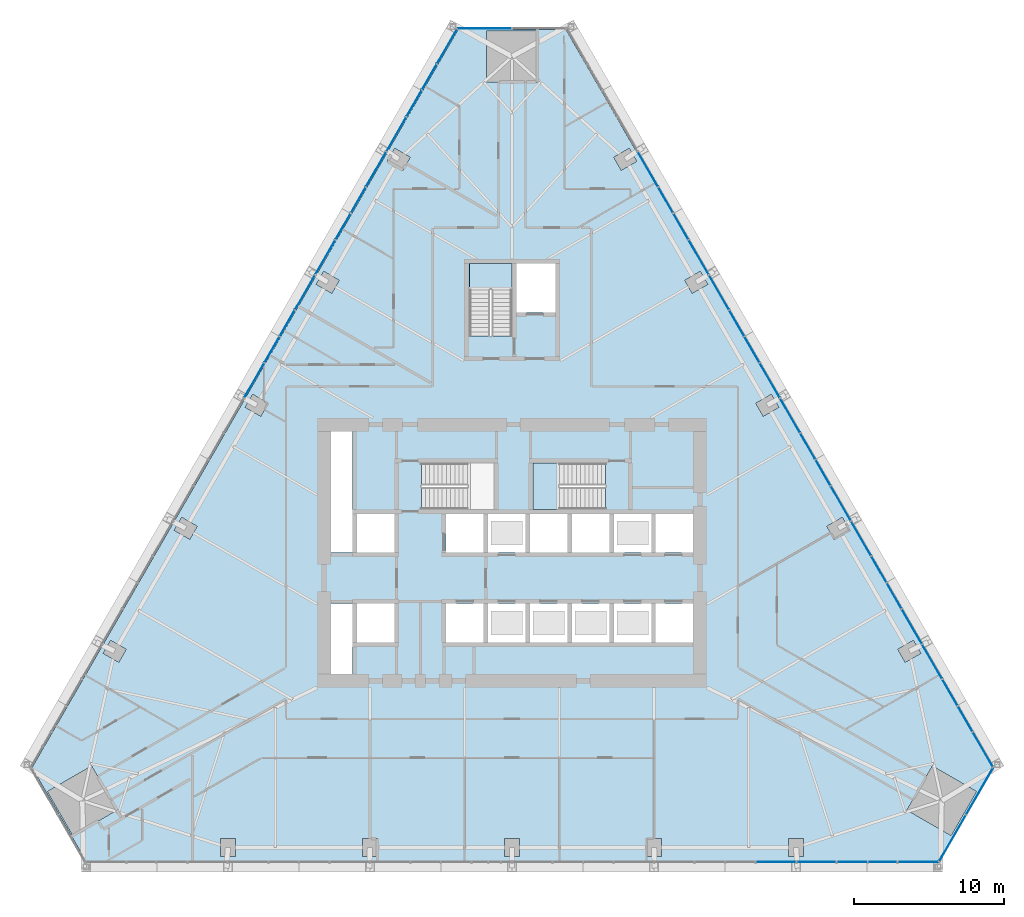
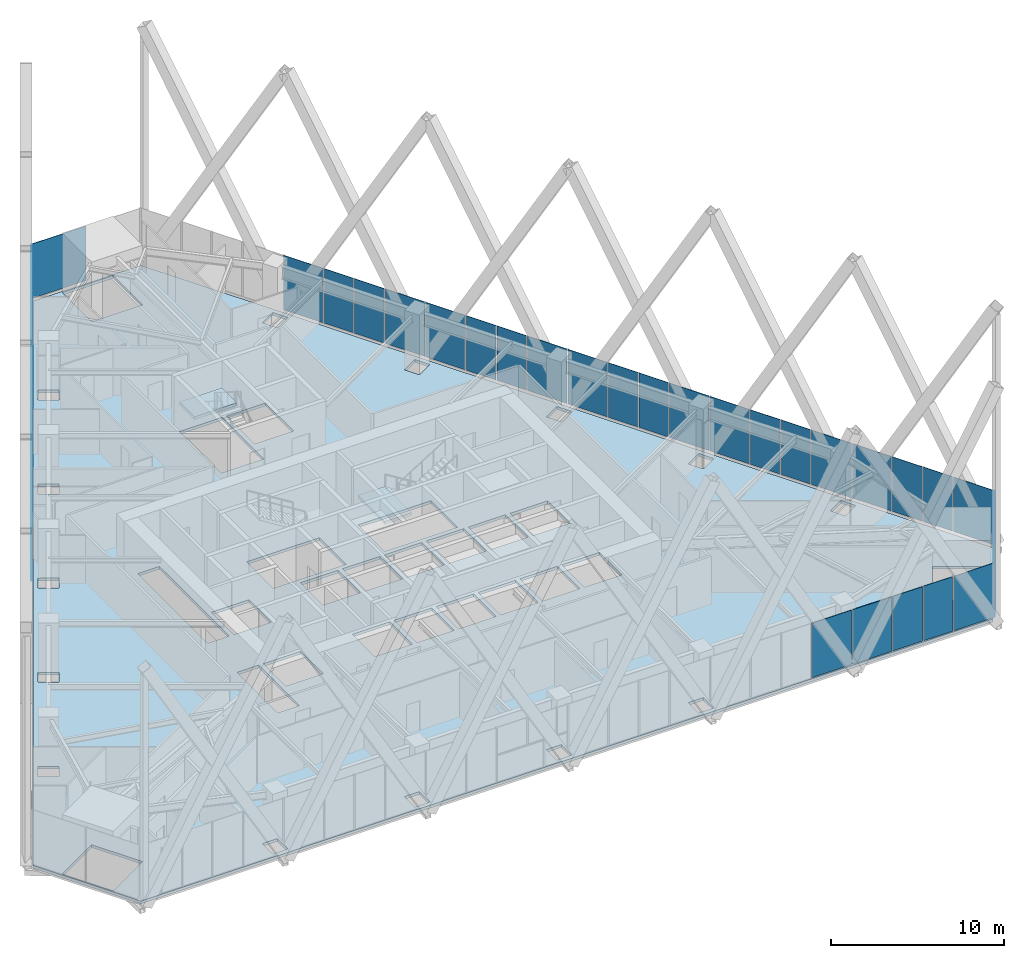
# One storey, part 14 of 21: 40 plates, 3 slabs, 7 elements without a shape of their own.
"""IFC4 building model written with IfcOpenShell, lengths in metres."""

from ifc_helpers import new_model, si_unit, direction, frame, origin, place, context, subcontext, project, spatial, polyline, outline, extrude, material, layer, layer_set, type_object, element, aggregate, save


model = new_model("IFC4")

# Units and contexts
model_context = context("Model", 3, precision=1e-05, world=origin(), true_north=direction((0.0, 1.0)))
body_context = subcontext(model_context, "Body", "Model", "MODEL_VIEW")
ifc_project = project(units=[si_unit("LENGTHUNIT", "METRE"), si_unit("AREAUNIT", "SQUARE_METRE"), si_unit("VOLUMEUNIT", "CUBIC_METRE"), si_unit("PLANEANGLEUNIT", "RADIAN"), si_unit("MASSUNIT", "GRAM", prefix="KILO")], contexts=[model_context])

# Site, building, storey
site_placement = place(None, origin())
site = spatial("IfcSite", under=ifc_project, at=site_placement, CompositionType="ELEMENT")
building_placement = place(site_placement, origin())
building = spatial("IfcBuilding", under=site, at=building_placement, Name="Firuza Gate Tower and Library", CompositionType="ELEMENT")
storey_placement = place(building_placement, frame((0.0, 0.0, 73.60009765625)))
storey = spatial("IfcBuildingStorey", under=building, at=storey_placement, Name="L16", CompositionType="ELEMENT", Elevation=73.60009765625)

# Slab
ifc_material_1 = material(Name="Concrete C40/50", Category="concrete")
ifc_layer_1 = layer(ifc_material_1, 0.199951171875)
ifc_layer_set_1 = layer_set([ifc_layer_1], Name="Composite floor slab 200 C40/50")
slab_type_1 = type_object("IfcSlabType", Name="Composite floor slab 200 C40/50", PredefinedType="FLOOR", material=ifc_layer_set_1)
slab_1_placement = place(storey_placement, frame((0.0, 0.0, -0.2001953125)))
element("IfcSlab", 1, at=slab_1_placement, inside=storey, type_object=slab_type_1, Name="Floor slab L16", PredefinedType="FLOOR", context=body_context, shape_type="SweptSolid", body=[
    extrude(outline(polyline([(42.944091796875, 60.6494140625), (46.544189453125, 54.4140625), (103.455810546875, 54.4140625), (107.055908203125, 60.6494140625), (78.60009765625, 109.9365234375), (71.39990234375, 109.9365234375), (42.944091796875, 60.6494140625)]), holes=[polyline([(55.529296875, 54.714111328125), (55.529296875, 55.9140625), (56.529296875, 55.9140625), (56.529296875, 54.714111328125), (55.529296875, 54.714111328125)]), polyline([(65.0146484375, 54.714111328125), (65.0146484375, 55.9140625), (66.0146484375, 55.9140625), (66.0146484375, 54.714111328125), (65.0146484375, 54.714111328125)]), polyline([(43.980712890625, 59.053955078125), (46.92529296875, 60.75390625), (48.625244140625, 57.8095703125), (45.6806640625, 56.109619140625), (43.980712890625, 59.053955078125)]), polyline([(48.196533203125, 69.14697265625), (49.23583984375, 68.546875), (48.73583984375, 67.680908203125), (47.696533203125, 68.281005859375), (48.196533203125, 69.14697265625)]), polyline([(64.35009765625, 66.89990234375), (62.89990234375, 66.89990234375), (62.89990234375, 71.60009765625), (64.35009765625, 71.60009765625), (64.35009765625, 66.89990234375)]), polyline([(75.89990234375, 69.0), (73.39990234375, 69.0), (73.39990234375, 71.60009765625), (75.89990234375, 71.60009765625), (75.89990234375, 69.0)]), polyline([(73.10009765625, 69.0), (70.60009765625, 69.0), (70.60009765625, 71.60009765625), (73.10009765625, 71.60009765625), (73.10009765625, 69.0)]), polyline([(64.64990234375, 69.0), (64.64990234375, 71.60009765625), (67.14990234375, 71.60009765625), (67.14990234375, 69.0), (64.64990234375, 69.0)]), polyline([(64.64990234375, 75.0), (64.64990234375, 77.60009765625), (67.14990234375, 77.60009765625), (67.14990234375, 75.0), (64.64990234375, 75.0)]), polyline([(75.89990234375, 75.0), (73.39990234375, 75.0), (73.39990234375, 77.60009765625), (75.89990234375, 77.60009765625), (75.89990234375, 75.0)]), polyline([(73.10009765625, 75.0), (70.60009765625, 75.0), (70.60009765625, 77.60009765625), (73.10009765625, 77.60009765625), (73.10009765625, 75.0)]), polyline([(52.939208984375, 77.361572265625), (53.978515625, 76.761474609375), (53.478515625, 75.8955078125), (52.439208984375, 76.495361328125), (52.939208984375, 77.361572265625)]), polyline([(62.89990234375, 75.0), (62.89990234375, 83.10009765625), (64.35009765625, 83.10009765625), (64.35009765625, 75.0), (62.89990234375, 75.0)]), polyline([(68.9404296875, 77.89990234375), (68.9404296875, 80.97998046875), (73.81005859375, 80.97998046875), (73.81005859375, 77.89990234375), (68.9404296875, 77.89990234375)]), polyline([(57.681884765625, 85.575927734375), (58.72119140625, 84.97607421875), (58.22119140625, 84.10986328125), (57.181884765625, 84.7099609375), (57.681884765625, 85.575927734375)]), polyline([(72.159912109375, 89.470458984375), (72.159912109375, 94.300048828125), (75.0, 94.300048828125), (75.0, 89.470458984375), (72.159912109375, 89.470458984375)]), polyline([(62.424560546875, 93.79052734375), (63.463623046875, 93.1904296875), (62.963623046875, 92.324462890625), (61.924560546875, 92.924560546875), (62.424560546875, 93.79052734375)]), polyline([(68.206298828125, 101.405029296875), (67.706298828125, 100.5390625), (66.667236328125, 101.138916015625), (67.167236328125, 102.005126953125), (68.206298828125, 101.405029296875)]), polyline([(76.699951171875, 106.4365234375), (73.300048828125, 106.4365234375), (73.300048828125, 109.83642578125), (76.699951171875, 109.83642578125), (76.699951171875, 106.4365234375)]), polyline([(93.470703125, 54.714111328125), (93.470703125, 55.9140625), (94.470703125, 55.9140625), (94.470703125, 54.714111328125), (93.470703125, 54.714111328125)]), polyline([(74.5, 54.714111328125), (74.5, 55.9140625), (75.5, 55.9140625), (75.5, 54.714111328125), (74.5, 54.714111328125)]), polyline([(83.9853515625, 54.714111328125), (83.9853515625, 55.9140625), (84.9853515625, 55.9140625), (84.9853515625, 54.714111328125), (83.9853515625, 54.714111328125)]), polyline([(104.3193359375, 56.109619140625), (101.374755859375, 57.8095703125), (103.07470703125, 60.75390625), (106.019287109375, 59.053955078125), (104.3193359375, 56.109619140625)]), polyline([(102.303466796875, 68.281005859375), (101.26416015625, 67.680908203125), (100.76416015625, 68.546875), (101.803466796875, 69.14697265625), (102.303466796875, 68.281005859375)]), polyline([(78.699951171875, 69.0), (76.199951171875, 69.0), (76.199951171875, 71.60009765625), (78.699951171875, 71.60009765625), (78.699951171875, 69.0)]), polyline([(81.5, 69.0), (79.0, 69.0), (79.0, 71.60009765625), (81.5, 71.60009765625), (81.5, 69.0)]), polyline([(84.60009765625, 69.0), (84.60009765625, 71.60009765625), (87.10009765625, 71.60009765625), (87.10009765625, 69.0), (84.60009765625, 69.0)]), polyline([(81.800048828125, 69.0), (81.800048828125, 71.60009765625), (84.300048828125, 71.60009765625), (84.300048828125, 69.0), (81.800048828125, 69.0)]), polyline([(84.300048828125, 75.0), (81.800048828125, 75.0), (81.800048828125, 77.60009765625), (84.300048828125, 77.60009765625), (84.300048828125, 75.0)]), polyline([(87.10009765625, 75.0), (84.60009765625, 75.0), (84.60009765625, 77.60009765625), (87.10009765625, 77.60009765625), (87.10009765625, 75.0)]), polyline([(81.5, 75.0), (79.0, 75.0), (79.0, 77.60009765625), (81.5, 77.60009765625), (81.5, 75.0)]), polyline([(76.199951171875, 75.0), (76.199951171875, 77.60009765625), (78.699951171875, 77.60009765625), (78.699951171875, 75.0), (76.199951171875, 75.0)]), polyline([(96.521484375, 75.8955078125), (96.021484375, 76.761474609375), (97.060791015625, 77.361572265625), (97.560791015625, 76.495361328125), (96.521484375, 75.8955078125)]), polyline([(81.259521484375, 77.89990234375), (76.389892578125, 77.89990234375), (76.389892578125, 80.97998046875), (81.259521484375, 80.97998046875), (81.259521484375, 77.89990234375)]), polyline([(92.818115234375, 84.7099609375), (91.77880859375, 84.10986328125), (91.27880859375, 84.97607421875), (92.318115234375, 85.575927734375), (92.818115234375, 84.7099609375)]), polyline([(77.89990234375, 91.050048828125), (75.300048828125, 91.050048828125), (75.300048828125, 94.300048828125), (77.89990234375, 94.300048828125), (77.89990234375, 91.050048828125)]), polyline([(87.036376953125, 92.324462890625), (86.536376953125, 93.1904296875), (87.575439453125, 93.79052734375), (88.075439453125, 92.924560546875), (87.036376953125, 92.324462890625)]), polyline([(82.293701171875, 100.5390625), (81.793701171875, 101.405029296875), (82.832763671875, 102.005126953125), (83.332763671875, 101.138916015625), (82.293701171875, 100.5390625)])]), origin(), (0.0, 0.0, 1.0), 0.2001953125),
])

# Curtain wall, plates
ifc_material_2 = material(Name="Aluminium 6063-T6", Category="aluminium")
ifc_layer_2 = layer(ifc_material_2, 0.14990234375)
ifc_layer_set_2 = layer_set([ifc_layer_2], Name="Corner curtain wall, chamfers")
curtain_wall_type_1 = type_object("IfcCurtainWallType", Name="Corner curtain wall, chamfers", PredefinedType="NOTDEFINED", material=ifc_layer_set_2)
placement_1 = place(storey_placement, origin())
curtain_wall_1 = element("IfcCurtainWall", 2, at=placement_1, inside=storey, type_object=curtain_wall_type_1, Name="CW4 L16 SE corner", PredefinedType="NOTDEFINED")
ifc_material_3 = material(Name="Fritted glass", Category="glass")
ifc_layer_3 = layer(ifc_material_3, 0.030029296875)
ifc_layer_set_3 = layer_set([ifc_layer_3], Name="Fritted glass unit, corners")
plate_type_1 = type_object("IfcPlateType", Name="Fritted glass unit, corners", PredefinedType="CURTAIN_PANEL", material=ifc_layer_set_3)
plate_1_placement = place(storey_placement, frame((103.5322265625, 54.3662109375, 0.14990234375), z_axis=(0.866046390552, -0.49996364809, 0.0), x_axis=(0.49996364809, 0.866046390552, 0.0)))
plate_1 = element("IfcPlate", 3, at=plate_1_placement, type_object=plate_type_1, Name="Glass unit", PredefinedType="CURTAIN_PANEL", context=body_context, shape_type="SweptSolid", body=[
    extrude(outline(polyline([(0.0, 0.0), (3.563247342942594, 0.0), (3.563247342942594, 3.85009765625), (0.0, 3.85009765625), (0.0, 0.0)])), origin(), (0.0, 0.0, -1.0), 0.030029296875),
])
plate_2_placement = place(storey_placement, frame((105.353759765625, 57.521484375, 0.14990234375), z_axis=(0.865999591991, -0.500044704672, 0.0), x_axis=(0.500044704672, 0.865999591991, 0.0)))
plate_2 = element("IfcPlate", 4, at=plate_2_placement, type_object=plate_type_1, Name="Glass unit", PredefinedType="CURTAIN_PANEL", context=body_context, shape_type="SweptSolid", body=[
    extrude(outline(polyline([(0.0, 0.0), (3.563157982880169, 0.0), (3.563157982880169, 3.85009765625), (0.0, 3.85009765625), (0.0, 0.0)])), origin(), (0.0, 0.0, -1.0), 0.030029296875),
])
aggregate(curtain_wall_1, [plate_1, plate_2])

# Curtain wall, plate
curtain_wall_2 = element("IfcCurtainWall", 5, at=placement_1, inside=storey, type_object=curtain_wall_type_1, Name="CW4 L16 N corner", PredefinedType="NOTDEFINED")
plate_3_placement = place(storey_placement, frame((74.9599609375, 110.026611328125, 0.14990234375), z_axis=(0.0, 1.0, 0.0), x_axis=(-1.0, 0.0, 0.0)))
plate_3 = element("IfcPlate", 6, at=plate_3_placement, type_object=plate_type_1, Name="Glass unit", PredefinedType="CURTAIN_PANEL", context=body_context, shape_type="SweptSolid", body=[
    extrude(outline(polyline([(0.0, 0.0), (3.563232421875, 0.0), (3.563232421875, 3.85009765625), (0.0, 3.85009765625), (0.0, 0.0)])), origin(), (0.0, 0.0, -1.0), 0.030029296875),
])
aggregate(curtain_wall_2, [plate_3])

# Curtain wall, plates
ifc_material_4 = material(Name="Aluminium 6063-T6", Category="aluminium")
ifc_layer_4 = layer(ifc_material_4, 0.14990234375)
ifc_layer_set_4 = layer_set([ifc_layer_4], Name="Unitised curtain wall, offices")
curtain_wall_type_2 = type_object("IfcCurtainWallType", Name="Unitised curtain wall, offices", PredefinedType="NOTDEFINED", material=ifc_layer_set_4)
curtain_wall_3 = element("IfcCurtainWall", 7, at=placement_1, inside=storey, type_object=curtain_wall_type_2, Name="CW1 L16 S face", PredefinedType="NOTDEFINED")
ifc_material_5 = material(Name="Fritted glass", Category="glass")
ifc_layer_5 = layer(ifc_material_5, 0.030029296875)
ifc_layer_set_5 = layer_set([ifc_layer_5], Name="Fritted glass unit, offices")
plate_type_2 = type_object("IfcPlateType", Name="Fritted glass unit, offices", PredefinedType="CURTAIN_PANEL", material=ifc_layer_set_5)
plate_4_placement = place(storey_placement, frame((96.7158203125, 54.323974609375, 0.14990234375), z_axis=(0.0, -1.0, 0.0), x_axis=(1.0, 0.0, 0.0)))
plate_4 = element("IfcPlate", 8, at=plate_4_placement, type_object=plate_type_2, Name="Glass unit", PredefinedType="CURTAIN_PANEL", context=body_context, shape_type="SweptSolid", body=[
    extrude(outline(polyline([(0.0, 0.0), (1.993408203125, 0.0), (1.993408203125, 3.85009765625), (0.0, 3.85009765625), (0.0, 0.0)])), origin(), (0.0, 0.0, -1.0), 0.030029296875),
])
plate_5_placement = place(storey_placement, frame((98.789306640625, 54.323974609375, 0.14990234375), z_axis=(0.0, -1.0, 0.0), x_axis=(1.0, 0.0, 0.0)))
plate_5 = element("IfcPlate", 9, at=plate_5_placement, type_object=plate_type_2, Name="Glass unit", PredefinedType="CURTAIN_PANEL", context=body_context, shape_type="SweptSolid", body=[
    extrude(outline(polyline([(0.0, 0.0), (1.921142578125, 0.0), (1.921142578125, 3.85009765625), (0.0, 3.85009765625), (0.0, 0.0)])), origin(), (0.0, 0.0, -1.0), 0.030029296875),
])

curtain_wall_4 = element("IfcCurtainWall", 10, at=placement_1, inside=storey, type_object=curtain_wall_type_2, Name="CW1 L16 E face", PredefinedType="NOTDEFINED")
plate_6_placement = place(storey_placement, frame((105.76123046875, 63.072021484375, 0.14990234375), z_axis=(0.866005709019, 0.500034110783, 0.0), x_axis=(-0.500034110783, 0.866005709019, 0.0)))
plate_6 = element("IfcPlate", 11, at=plate_6_placement, type_object=plate_type_2, Name="Glass unit", PredefinedType="CURTAIN_PANEL", context=body_context, shape_type="SweptSolid", body=[
    extrude(outline(polyline([(0.0, 0.0), (1.9212556476795428, 0.0), (1.9212556476795428, 3.85009765625), (0.0, 3.85009765625), (0.0, 0.0)])), origin(), (0.0, 0.0, -1.0), 0.030029296875),
])
plate_7_placement = place(storey_placement, frame((104.760498046875, 64.80517578125, 0.14990234375), z_axis=(0.86604893727, 0.499959236591, 0.0), x_axis=(-0.499959236591, 0.86604893727, 0.0)))
plate_7 = element("IfcPlate", 12, at=plate_7_placement, type_object=plate_type_2, Name="Glass unit", PredefinedType="CURTAIN_PANEL", context=body_context, shape_type="SweptSolid", body=[
    extrude(outline(polyline([(0.0, 0.0), (1.9933265720713123, 0.0), (1.9933265720713123, 3.85009765625), (0.0, 3.85009765625), (0.0, 0.0)])), origin(), (0.0, 0.0, -1.0), 0.030029296875),
])
plate_8_placement = place(storey_placement, frame((101.0185546875, 71.286376953125, 0.14990234375), z_axis=(0.866061679702, 0.499937163003, 0.0), x_axis=(-0.499937163003, 0.866061679702, 0.0)))
plate_8 = element("IfcPlate", 13, at=plate_8_placement, type_object=plate_type_2, Name="Glass unit", PredefinedType="CURTAIN_PANEL", context=body_context, shape_type="SweptSolid", body=[
    extrude(outline(polyline([(0.0, 0.0), (1.9357901534810953, 0.0), (1.9357901534810953, 3.85009765625), (0.0, 3.85009765625), (0.0, 0.0)])), origin(), (0.0, 0.0, -1.0), 0.030029296875),
])
plate_9_placement = place(storey_placement, frame((100.0107421875, 73.031982421875, 0.14990234375), z_axis=(0.866025344474, 0.500000102728, 0.0), x_axis=(-0.500000102728, 0.866025344474, 0.0)))
plate_9 = element("IfcPlate", 14, at=plate_9_placement, type_object=plate_type_2, Name="Glass unit", PredefinedType="CURTAIN_PANEL", context=body_context, shape_type="SweptSolid", body=[
    extrude(outline(polyline([(0.0, 0.0), (1.9790034996501018, 0.0), (1.9790034996501018, 3.85009765625), (0.0, 3.85009765625), (0.0, 0.0)])), origin(), (0.0, 0.0, -1.0), 0.030029296875),
])
plate_10_placement = place(storey_placement, frame((96.27587890625, 79.5009765625, 0.14990234375), z_axis=(0.866031321059, 0.49998975084, 0.0), x_axis=(-0.49998975084, 0.866031321059, 0.0)))
plate_10 = element("IfcPlate", 15, at=plate_10_placement, type_object=plate_type_2, Name="Glass unit", PredefinedType="CURTAIN_PANEL", context=body_context, shape_type="SweptSolid", body=[
    extrude(outline(polyline([(0.0, 0.0), (1.9502352890478898, 0.0), (1.9502352890478898, 3.85009765625), (0.0, 3.85009765625), (0.0, 0.0)])), origin(), (0.0, 0.0, -1.0), 0.030029296875),
])
plate_11_placement = place(storey_placement, frame((95.2607421875, 81.259033203125, 0.14990234375), z_axis=(0.866055215259, 0.499948361456, 0.0), x_axis=(-0.499948361456, 0.866055215259, 0.0)))
plate_11 = element("IfcPlate", 16, at=plate_11_placement, type_object=plate_type_2, Name="Glass unit", PredefinedType="CURTAIN_PANEL", context=body_context, shape_type="SweptSolid", body=[
    extrude(outline(polyline([(0.0, 0.0), (1.9645583626167125, 0.0), (1.9645583626167125, 3.85009765625), (0.0, 3.85009765625), (0.0, 0.0)])), origin(), (0.0, 0.0, -1.0), 0.030029296875),
])
plate_12_placement = place(storey_placement, frame((91.533203125, 87.715576171875, 0.14990234375), z_axis=(0.86602414853, 0.500002174158, 0.0), x_axis=(-0.500002174158, 0.86602414853, 0.0)))
plate_12 = element("IfcPlate", 17, at=plate_12_placement, type_object=plate_type_2, Name="Glass unit", PredefinedType="CURTAIN_PANEL", context=body_context, shape_type="SweptSolid", body=[
    extrude(outline(polyline([(0.0, 0.0), (1.9643469271472958, 0.0), (1.9643469271472958, 3.85009765625), (0.0, 3.85009765625), (0.0, 0.0)])), origin(), (0.0, 0.0, -1.0), 0.030029296875),
])
plate_13_placement = place(storey_placement, frame((90.510986328125, 89.486083984375, 0.14990234375), z_axis=(0.866031321059, 0.49998975084, 0.0), x_axis=(-0.49998975084, 0.866031321059, 0.0)))
plate_13 = element("IfcPlate", 18, at=plate_13_placement, type_object=plate_type_2, Name="Glass unit", PredefinedType="CURTAIN_PANEL", context=body_context, shape_type="SweptSolid", body=[
    extrude(outline(polyline([(0.0, 0.0), (1.9502352890478898, 0.0), (1.9502352890478898, 3.85009765625), (0.0, 3.85009765625), (0.0, 0.0)])), origin(), (0.0, 0.0, -1.0), 0.030029296875),
])
plate_14_placement = place(storey_placement, frame((86.79052734375, 95.929931640625, 0.14990234375), z_axis=(0.866025344474, 0.500000102728, 0.0), x_axis=(-0.500000102728, 0.866025344474, 0.0)))
plate_14 = element("IfcPlate", 19, at=plate_14_placement, type_object=plate_type_2, Name="Glass unit", PredefinedType="CURTAIN_PANEL", context=body_context, shape_type="SweptSolid", body=[
    extrude(outline(polyline([(0.0, 0.0), (1.9790034996501018, 0.0), (1.9790034996501018, 3.85009765625), (0.0, 3.85009765625), (0.0, 0.0)])), origin(), (0.0, 0.0, -1.0), 0.030029296875),
])
plate_15_placement = place(storey_placement, frame((85.760986328125, 97.713134765625, 0.14990234375), z_axis=(0.86603015262, 0.499991774685, 0.0), x_axis=(-0.499991774685, 0.86603015262, 0.0)))
plate_15 = element("IfcPlate", 20, at=plate_15_placement, type_object=plate_type_2, Name="Glass unit", PredefinedType="CURTAIN_PANEL", context=body_context, shape_type="SweptSolid", body=[
    extrude(outline(polyline([(0.0, 0.0), (1.9355787164896345, 0.0), (1.9355787164896345, 3.85009765625), (0.0, 3.85009765625), (0.0, 0.0)])), origin(), (0.0, 0.0, -1.0), 0.030029296875),
])

curtain_wall_5 = element("IfcCurtainWall", 21, at=placement_1, inside=storey, type_object=curtain_wall_type_2, Name="CW1 L16 W face", PredefinedType="NOTDEFINED")
plate_16_placement = place(storey_placement, frame((69.949462890625, 107.60400390625, 0.14990234375), z_axis=(-0.866005709019, 0.500034110783, 0.0), x_axis=(-0.500034110783, -0.866005709019, 0.0)))
plate_16 = element("IfcPlate", 22, at=plate_16_placement, type_object=plate_type_2, Name="Glass unit", PredefinedType="CURTAIN_PANEL", context=body_context, shape_type="SweptSolid", body=[
    extrude(outline(polyline([(0.0, 0.0), (1.9212556476795428, 0.0), (1.9212556476795428, 3.85009765625), (0.0, 3.85009765625), (0.0, 0.0)])), origin(), (0.0, 0.0, -1.0), 0.030029296875),
])
plate_17_placement = place(storey_placement, frame((68.94873046875, 105.870849609375, 0.14990234375), z_axis=(-0.86604893727, 0.499959236591, 0.0), x_axis=(-0.499959236591, -0.86604893727, 0.0)))
plate_17 = element("IfcPlate", 23, at=plate_17_placement, type_object=plate_type_2, Name="Glass unit", PredefinedType="CURTAIN_PANEL", context=body_context, shape_type="SweptSolid", body=[
    extrude(outline(polyline([(0.0, 0.0), (1.9933265720713123, 0.0), (1.9933265720713123, 3.85009765625), (0.0, 3.85009765625), (0.0, 0.0)])), origin(), (0.0, 0.0, -1.0), 0.030029296875),
])
plate_18_placement = place(storey_placement, frame((65.206787109375, 99.389404296875, 0.14990234375), z_axis=(-0.86603015262, 0.499991774685, 0.0), x_axis=(-0.499991774685, -0.86603015262, 0.0)))
plate_18 = element("IfcPlate", 24, at=plate_18_placement, type_object=plate_type_2, Name="Glass unit", PredefinedType="CURTAIN_PANEL", context=body_context, shape_type="SweptSolid", body=[
    extrude(outline(polyline([(0.0, 0.0), (1.9355787164896345, 0.0), (1.9355787164896345, 3.85009765625), (0.0, 3.85009765625), (0.0, 0.0)])), origin(), (0.0, 0.0, -1.0), 0.030029296875),
])
plate_19_placement = place(storey_placement, frame((64.198974609375, 97.643798828125, 0.14990234375), z_axis=(-0.866025344474, 0.500000102728, 0.0), x_axis=(-0.500000102728, -0.866025344474, 0.0)))
plate_19 = element("IfcPlate", 25, at=plate_19_placement, type_object=plate_type_2, Name="Glass unit", PredefinedType="CURTAIN_PANEL", context=body_context, shape_type="SweptSolid", body=[
    extrude(outline(polyline([(0.0, 0.0), (1.9790034996501018, 0.0), (1.9790034996501018, 3.85009765625), (0.0, 3.85009765625), (0.0, 0.0)])), origin(), (0.0, 0.0, -1.0), 0.030029296875),
])
plate_20_placement = place(storey_placement, frame((60.464111328125, 91.175048828125, 0.14990234375), z_axis=(-0.866031321059, 0.49998975084, 0.0), x_axis=(-0.49998975084, -0.866031321059, 0.0)))
plate_20 = element("IfcPlate", 26, at=plate_20_placement, type_object=plate_type_2, Name="Glass unit", PredefinedType="CURTAIN_PANEL", context=body_context, shape_type="SweptSolid", body=[
    extrude(outline(polyline([(0.0, 0.0), (1.9502352890478898, 0.0), (1.9502352890478898, 3.85009765625), (0.0, 3.85009765625), (0.0, 0.0)])), origin(), (0.0, 0.0, -1.0), 0.030029296875),
])
plate_21_placement = place(storey_placement, frame((59.448974609375, 89.416748046875, 0.14990234375), z_axis=(-0.86602414853, 0.500002174158, 0.0), x_axis=(-0.500002174158, -0.86602414853, 0.0)))
plate_21 = element("IfcPlate", 27, at=plate_21_placement, type_object=plate_type_2, Name="Glass unit", PredefinedType="CURTAIN_PANEL", context=body_context, shape_type="SweptSolid", body=[
    extrude(outline(polyline([(0.0, 0.0), (1.9643469271472958, 0.0), (1.9643469271472958, 3.85009765625), (0.0, 3.85009765625), (0.0, 0.0)])), origin(), (0.0, 0.0, -1.0), 0.030029296875),
])

# Plate
ifc_material_6 = material(Name="Glazed ceramic tile")
ifc_layer_6 = layer(ifc_material_6, 0.030029296875)
ifc_layer_set_6 = layer_set([ifc_layer_6], Name="Opaque ceramic panel, offices")
plate_type_3 = type_object("IfcPlateType", Name="Opaque ceramic panel, offices", PredefinedType="CURTAIN_PANEL", material=ifc_layer_set_6)
plate_22_placement = place(storey_placement, frame((91.30517578125, 54.323974609375, 0.14990234375), z_axis=(0.0, -1.0, 0.0), x_axis=(1.0, 0.0, 0.0)))
plate_22 = element("IfcPlate", 28, at=plate_22_placement, type_object=plate_type_3, Name="Opaque ceramic panel", PredefinedType="CURTAIN_PANEL", context=body_context, shape_type="SweptSolid", body=[
    extrude(outline(polyline([(0.0, 0.0), (2.654296875, 0.0), (2.654296875, 3.85009765625), (0.0, 3.85009765625), (0.0, 0.0)])), origin(), (0.0, 0.0, -1.0), 0.030029296875),
])

plate_23_placement = place(storey_placement, frame((94.03955078125, 54.323974609375, 0.14990234375), z_axis=(0.0, -1.0, 0.0), x_axis=(1.0, 0.0, 0.0)))
plate_23 = element("IfcPlate", 29, at=plate_23_placement, type_object=plate_type_3, Name="Opaque ceramic panel", PredefinedType="CURTAIN_PANEL", context=body_context, shape_type="SweptSolid", body=[
    extrude(outline(polyline([(0.0, 0.0), (2.596435546875, 0.0), (2.596435546875, 3.85009765625), (0.0, 3.85009765625), (0.0, 0.0)])), origin(), (0.0, 0.0, -1.0), 0.030029296875),
])

plate_24_placement = place(storey_placement, frame((100.79052734375, 54.323974609375, 0.14990234375), z_axis=(0.0, -1.0, 0.0), x_axis=(1.0, 0.0, 0.0)))
plate_24 = element("IfcPlate", 30, at=plate_24_placement, type_object=plate_type_3, Name="Opaque ceramic panel", PredefinedType="CURTAIN_PANEL", context=body_context, shape_type="SweptSolid", body=[
    extrude(outline(polyline([(0.0, 0.0), (2.668701171875, 0.0), (2.668701171875, 3.85009765625), (0.0, 3.85009765625), (0.0, 0.0)])), origin(), (0.0, 0.0, -1.0), 0.030029296875),
])

aggregate(curtain_wall_3, [plate_22, plate_23, plate_4, plate_5, plate_24])

plate_25_placement = place(storey_placement, frame((107.135498046875, 60.691650390625, 0.14990234375), z_axis=(0.866033233673, 0.499986437991, 0.0), x_axis=(-0.499986437991, 0.866033233673, 0.0)))
plate_25 = element("IfcPlate", 31, at=plate_25_placement, type_object=plate_type_3, Name="Opaque ceramic panel", PredefinedType="CURTAIN_PANEL", context=body_context, shape_type="SweptSolid", body=[
    extrude(outline(polyline([(0.0, 0.0), (2.6685294124911483, 0.0), (2.6685294124911483, 3.85009765625), (0.0, 3.85009765625), (0.0, 0.0)])), origin(), (0.0, 0.0, -1.0), 0.030029296875),
])

plate_26_placement = place(storey_placement, frame((103.723876953125, 66.6005859375, 0.14990234375), z_axis=(0.866024317969, 0.500001880682, 0.0), x_axis=(-0.500001880682, 0.866024317969, 0.0)))
plate_26 = element("IfcPlate", 32, at=plate_26_placement, type_object=plate_type_3, Name="Opaque ceramic panel", PredefinedType="CURTAIN_PANEL", context=body_context, shape_type="SweptSolid", body=[
    extrude(outline(polyline([(0.0, 0.0), (2.596669920479381, 0.0), (2.596669920479381, 3.85009765625), (0.0, 3.85009765625), (0.0, 0.0)])), origin(), (0.0, 0.0, -1.0), 0.030029296875),
])

plate_27_placement = place(storey_placement, frame((102.3857421875, 68.918701171875, 0.14990234375), z_axis=(0.866015557117, 0.50001705454, 0.0), x_axis=(-0.50001705454, 0.866015557117, 0.0)))
plate_27 = element("IfcPlate", 33, at=plate_27_placement, type_object=plate_type_3, Name="Opaque ceramic panel", PredefinedType="CURTAIN_PANEL", context=body_context, shape_type="SweptSolid", body=[
    extrude(outline(polyline([(0.0, 0.0), (2.6542063424654727, 0.0), (2.6542063424654727, 3.85009765625), (0.0, 3.85009765625), (0.0, 0.0)])), origin(), (0.0, 0.0, -1.0), 0.030029296875),
])

plate_28_placement = place(storey_placement, frame((98.981201171875, 74.815185546875, 0.14990234375), z_axis=(0.866042335433, 0.499970672378, 0.0), x_axis=(-0.499970672378, 0.866042335433, 0.0)))
plate_28 = element("IfcPlate", 34, at=plate_28_placement, type_object=plate_type_3, Name="Opaque ceramic panel", PredefinedType="CURTAIN_PANEL", context=body_context, shape_type="SweptSolid", body=[
    extrude(outline(polyline([(0.0, 0.0), (2.610992992183525, 0.0), (2.610992992183525, 3.8500976562499996), (0.0, 3.8500976562499996), (0.0, 0.0)])), origin(), (0.0, 0.0, -1.0), 0.030029296875),
])

plate_29_placement = place(storey_placement, frame((97.6357421875, 77.1455078125, 0.14990234375), z_axis=(0.866037734993, 0.499978641112, 0.0), x_axis=(-0.499978641112, 0.866037734993, 0.0)))
plate_29 = element("IfcPlate", 35, at=plate_29_placement, type_object=plate_type_3, Name="Opaque ceramic panel", PredefinedType="CURTAIN_PANEL", context=body_context, shape_type="SweptSolid", body=[
    extrude(outline(polyline([(0.0, 0.0), (2.639761202227999, 0.0), (2.639761202227999, 3.8500976562499996), (0.0, 3.8500976562499996), (0.0, 0.0)])), origin(), (0.0, 0.0, -1.0), 0.030029296875),
])

plate_30_placement = place(storey_placement, frame((94.238525390625, 83.02978515625, 0.14990234375), z_axis=(0.865996638274, 0.500049820017, 0.0), x_axis=(-0.500049820017, 0.865996638274, 0.0)))
plate_30 = element("IfcPlate", 36, at=plate_30_placement, type_object=plate_type_3, Name="Opaque ceramic panel", PredefinedType="CURTAIN_PANEL", context=body_context, shape_type="SweptSolid", body=[
    extrude(outline(polyline([(0.0, 0.0), (2.625226703572764, 0.0), (2.625226703572764, 3.85009765625), (0.0, 3.85009765625), (0.0, 0.0)])), origin(), (0.0, 0.0, -1.0), 0.030029296875),
])

plate_31_placement = place(storey_placement, frame((92.885986328125, 85.37255859375, 0.14990234375), z_axis=(0.866019889578, 0.500009550764, 0.0), x_axis=(-0.500009550764, 0.866019889578, 0.0)))
plate_31 = element("IfcPlate", 37, at=plate_31_placement, type_object=plate_type_3, Name="Opaque ceramic panel", PredefinedType="CURTAIN_PANEL", context=body_context, shape_type="SweptSolid", body=[
    extrude(outline(polyline([(0.0, 0.0), (2.625438131371688, 0.0), (2.625438131371688, 3.85009765625), (0.0, 3.85009765625), (0.0, 0.0)])), origin(), (0.0, 0.0, -1.0), 0.030029296875),
])

plate_32_placement = place(storey_placement, frame((89.495849609375, 91.244140625, 0.14990234375), z_axis=(0.866037734993, 0.499978641112, 0.0), x_axis=(-0.499978641112, 0.866037734993, 0.0)))
plate_32 = element("IfcPlate", 38, at=plate_32_placement, type_object=plate_type_3, Name="Opaque ceramic panel", PredefinedType="CURTAIN_PANEL", context=body_context, shape_type="SweptSolid", body=[
    extrude(outline(polyline([(0.0, 0.0), (2.639761202227999, 0.0), (2.639761202227999, 3.8500976562499996), (0.0, 3.8500976562499996), (0.0, 0.0)])), origin(), (0.0, 0.0, -1.0), 0.030029296875),
])

plate_33_placement = place(storey_placement, frame((88.135986328125, 93.599609375, 0.14990234375), z_axis=(0.866042335433, 0.499970672378, 0.0), x_axis=(-0.499970672378, 0.866042335433, 0.0)))
plate_33 = element("IfcPlate", 39, at=plate_33_placement, type_object=plate_type_3, Name="Opaque ceramic panel", PredefinedType="CURTAIN_PANEL", context=body_context, shape_type="SweptSolid", body=[
    extrude(outline(polyline([(0.0, 0.0), (2.610992992183525, 0.0), (2.610992992183525, 3.8500976562499996), (0.0, 3.8500976562499996), (0.0, 0.0)])), origin(), (0.0, 0.0, -1.0), 0.030029296875),
])

plate_34_placement = place(storey_placement, frame((84.753173828125, 99.458740234375, 0.14990234375), z_axis=(0.866055386713, 0.499948064449, 0.0), x_axis=(-0.499948064449, 0.866055386713, 0.0)))
plate_34 = element("IfcPlate", 40, at=plate_34_placement, type_object=plate_type_3, Name="Opaque ceramic panel", PredefinedType="CURTAIN_PANEL", context=body_context, shape_type="SweptSolid", body=[
    extrude(outline(polyline([(0.0, 0.0), (2.654084276410715, 0.0), (2.654084276410715, 3.85009765625), (0.0, 3.85009765625), (0.0, 0.0)])), origin(), (0.0, 0.0, -1.0), 0.030029296875),
])

aggregate(curtain_wall_4, [plate_25, plate_6, plate_7, plate_26, plate_27, plate_8, plate_9, plate_28, plate_29, plate_10, plate_11, plate_30, plate_31, plate_12, plate_13, plate_32, plate_33, plate_14, plate_15, plate_34])

plate_35_placement = place(storey_placement, frame((71.32373046875, 109.984375, 0.14990234375), z_axis=(-0.866033233673, 0.499986437991, 0.0), x_axis=(-0.499986437991, -0.866033233673, 0.0)))
plate_35 = element("IfcPlate", 41, at=plate_35_placement, type_object=plate_type_3, Name="Opaque ceramic panel", PredefinedType="CURTAIN_PANEL", context=body_context, shape_type="SweptSolid", body=[
    extrude(outline(polyline([(0.0, 0.0), (2.6685294124911483, 0.0), (2.6685294124911483, 3.85009765625), (0.0, 3.85009765625), (0.0, 0.0)])), origin(), (0.0, 0.0, -1.0), 0.030029296875),
])

plate_36_placement = place(storey_placement, frame((67.912109375, 104.0751953125, 0.14990234375), z_axis=(-0.866000809756, 0.500042595688, 0.0), x_axis=(-0.500042595688, -0.866000809756, 0.0)))
plate_36 = element("IfcPlate", 42, at=plate_36_placement, type_object=plate_type_3, Name="Opaque ceramic panel", PredefinedType="CURTAIN_PANEL", context=body_context, shape_type="SweptSolid", body=[
    extrude(outline(polyline([(0.0, 0.0), (2.5964584916306648, 0.0), (2.5964584916306648, 3.85009765625), (0.0, 3.85009765625), (0.0, 0.0)])), origin(), (0.0, 0.0, -1.0), 0.030029296875),
])

plate_37_placement = place(storey_placement, frame((66.57373046875, 101.75732421875, 0.14990234375), z_axis=(-0.866055386713, 0.499948064449, 0.0), x_axis=(-0.499948064449, -0.866055386713, 0.0)))
plate_37 = element("IfcPlate", 43, at=plate_37_placement, type_object=plate_type_3, Name="Opaque ceramic panel", PredefinedType="CURTAIN_PANEL", context=body_context, shape_type="SweptSolid", body=[
    extrude(outline(polyline([(0.0, 0.0), (2.654084276410715, 0.0), (2.654084276410715, 3.85009765625), (0.0, 3.85009765625), (0.0, 0.0)])), origin(), (0.0, 0.0, -1.0), 0.030029296875),
])

plate_38_placement = place(storey_placement, frame((63.16943359375, 95.86083984375, 0.14990234375), z_axis=(-0.866042335433, 0.499970672378, 0.0), x_axis=(-0.499970672378, -0.866042335433, 0.0)))
plate_38 = element("IfcPlate", 44, at=plate_38_placement, type_object=plate_type_3, Name="Opaque ceramic panel", PredefinedType="CURTAIN_PANEL", context=body_context, shape_type="SweptSolid", body=[
    extrude(outline(polyline([(0.0, 0.0), (2.610992992183525, 0.0), (2.610992992183525, 3.8500976562499996), (0.0, 3.8500976562499996), (0.0, 0.0)])), origin(), (0.0, 0.0, -1.0), 0.030029296875),
])

plate_39_placement = place(storey_placement, frame((61.823974609375, 93.5302734375, 0.14990234375), z_axis=(-0.866037734993, 0.499978641112, 0.0), x_axis=(-0.499978641112, -0.866037734993, 0.0)))
plate_39 = element("IfcPlate", 45, at=plate_39_placement, type_object=plate_type_3, Name="Opaque ceramic panel", PredefinedType="CURTAIN_PANEL", context=body_context, shape_type="SweptSolid", body=[
    extrude(outline(polyline([(0.0, 0.0), (2.639761202227999, 0.0), (2.639761202227999, 3.8500976562499996), (0.0, 3.8500976562499996), (0.0, 0.0)])), origin(), (0.0, 0.0, -1.0), 0.030029296875),
])

plate_40_placement = place(storey_placement, frame((58.4267578125, 87.646240234375, 0.14990234375), z_axis=(-0.866019889578, 0.500009550764, 0.0), x_axis=(-0.500009550764, -0.866019889578, 0.0)))
plate_40 = element("IfcPlate", 46, at=plate_40_placement, type_object=plate_type_3, Name="Opaque ceramic panel", PredefinedType="CURTAIN_PANEL", context=body_context, shape_type="SweptSolid", body=[
    extrude(outline(polyline([(0.0, 0.0), (2.625438131371688, 0.0), (2.625438131371688, 3.85009765625), (0.0, 3.85009765625), (0.0, 0.0)])), origin(), (0.0, 0.0, -1.0), 0.030029296875),
])

aggregate(curtain_wall_5, [plate_35, plate_16, plate_17, plate_36, plate_37, plate_18, plate_19, plate_38, plate_39, plate_20, plate_21, plate_40])

# Stair, slab
ifc_material_7 = material(Name="Concrete C35/45", Category="concrete")
stair_type_1 = type_object("IfcStairType", Name="Exit stair ST5", PredefinedType="HALF_TURN_STAIR", material=ifc_material_7)
stair_1 = element("IfcStair", 47, at=placement_1, inside=storey, type_object=stair_type_1, Name="L16 Stair ST2", PredefinedType="HALF_TURN_STAIR")
ifc_material_8 = material(Name="Concrete C35/45", Category="concrete")
ifc_layer_7 = layer(ifc_material_8, 0.199951171875)
ifc_layer_set_7 = layer_set([ifc_layer_7], Name="Stair landing 200")
slab_type_2 = type_object("IfcSlabType", Name="Stair landing 200", PredefinedType="LANDING", material=ifc_layer_set_7)
placement_2 = place(storey_placement, frame((0.0, 0.0, 1.89990234375)))
slab_2 = element("IfcSlab", 48, at=placement_2, type_object=slab_type_2, Name="ST2 landing 1", PredefinedType="LANDING", context=body_context, shape_type="SweptSolid", body=[
    extrude(outline(polyline([(78.179931640625, 80.97998046875), (76.389892578125, 80.97998046875), (76.389892578125, 77.89990234375), (78.179931640625, 77.89990234375), (78.179931640625, 80.97998046875)])), origin(), (0.0, 0.0, 1.0), 0.199951171875),
])
aggregate(stair_1, [slab_2])

ifc_material_9 = material(Name="Concrete C35/45", Category="concrete")
stair_type_2 = type_object("IfcStairType", Name="Exit stair ST14", PredefinedType="HALF_TURN_STAIR", material=ifc_material_9)
stair_2 = element("IfcStair", 49, at=placement_1, inside=storey, type_object=stair_type_2, Name="L16 Stair ST3", PredefinedType="HALF_TURN_STAIR")
slab_3 = element("IfcSlab", 50, at=placement_2, type_object=slab_type_2, Name="ST3 landing 1", PredefinedType="LANDING", context=body_context, shape_type="SweptSolid", body=[
    extrude(outline(polyline([(75.0, 92.550048828125), (75.0, 94.300048828125), (72.159912109375, 94.300048828125), (72.159912109375, 92.550048828125), (75.0, 92.550048828125)])), origin(), (0.0, 0.0, 1.0), 0.199951171875),
])
aggregate(stair_2, [slab_3])

save(model, "model.ifc")
